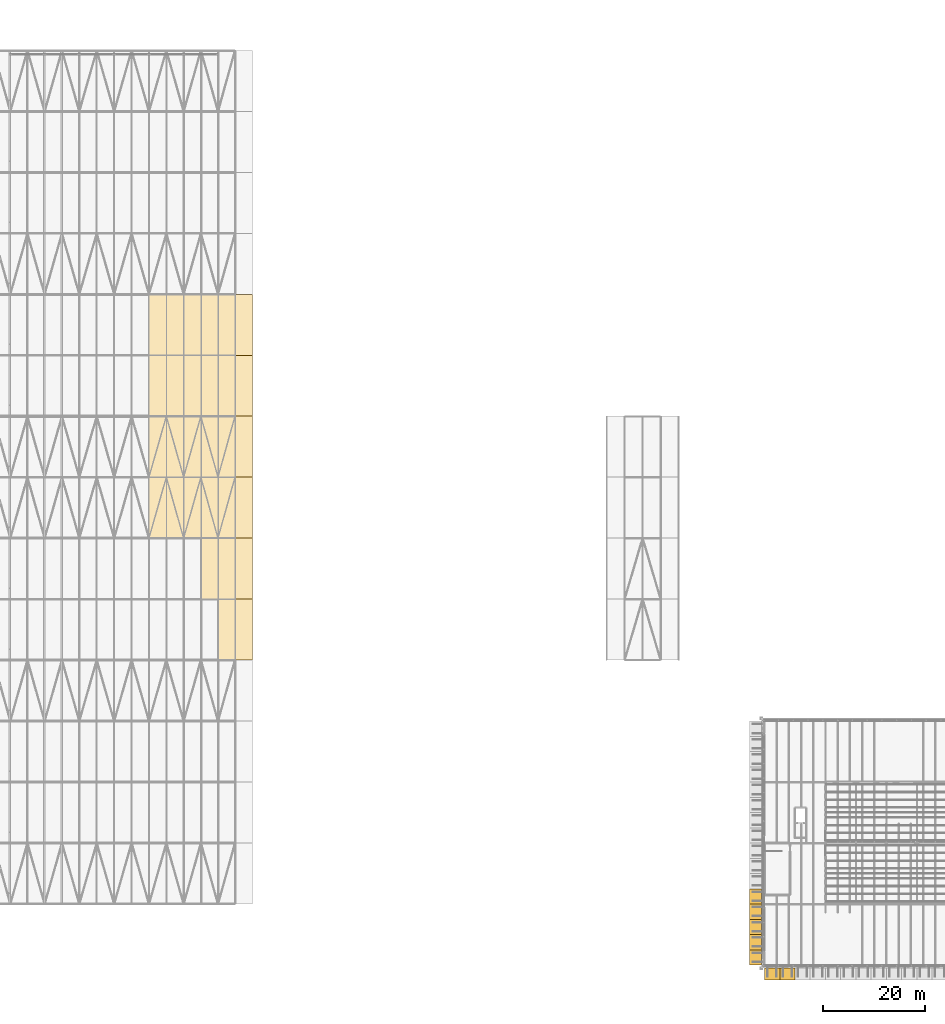
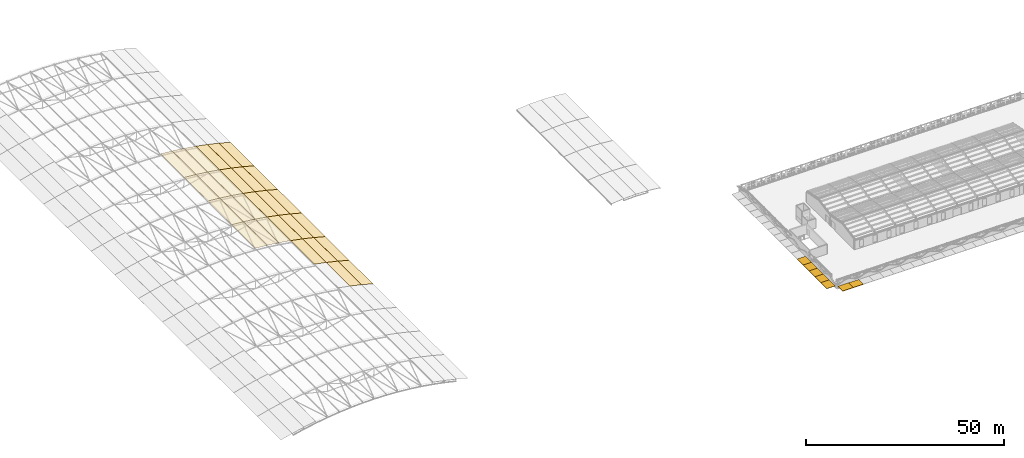
# One storey, part 88 of 91: 29 coverings, 7 shading devices.
"""IFC4 building model written with IfcOpenShell, lengths in metres."""

from ifc_helpers import new_model, si_unit, direction, frame, origin, origin_2d, place, context, subcontext, project, spatial, polyline, rectangle, outline, extrude, material, layer, layer_set, type_object, element, save


model = new_model("IFC4")

# Units and contexts
model_context = context("Model", 3, precision=1e-05, world=origin(), true_north=direction((0.0, 1.0)))
body_context = subcontext(model_context, "Body", "Model", "MODEL_VIEW")
ifc_project = project(units=[si_unit("LENGTHUNIT", "METRE"), si_unit("AREAUNIT", "SQUARE_METRE"), si_unit("VOLUMEUNIT", "CUBIC_METRE"), si_unit("PLANEANGLEUNIT", "RADIAN"), si_unit("MASSUNIT", "GRAM", prefix="KILO")], contexts=[model_context])

# Site, building, storey
site_placement = place(None, origin())
site = spatial("IfcSite", under=ifc_project, at=site_placement, CompositionType="ELEMENT")
building_placement = place(site_placement, origin())
building = spatial("IfcBuilding", under=site, at=building_placement, Name="Ravi Spectrum Wholesale Market", CompositionType="ELEMENT")
storey_placement = place(building_placement, frame((0.0, 0.0, 16.199951171875)))
storey = spatial("IfcBuildingStorey", under=building, at=storey_placement, Name="ROOF PLANT LEVEL", CompositionType="ELEMENT", Elevation=16.199951171875)

# Shading devices
ifc_material_1 = material(Name="Powder-coated aluminium louvres", Category="aluminium")
ifc_layer_1 = layer(ifc_material_1, 0.1201171875)
ifc_layer_set_1 = layer_set([ifc_layer_1], Name="Powder-coated aluminium louvres")
shading_device_type = type_object("IfcShadingDeviceType", Name="Louvred sunshade canopy 3000 x 2400 x 120", PredefinedType="USERDEFINED", material=ifc_layer_set_1)
for number, where, z_axis, x_axis, name in (
    (1, (199.5, 16.25, 0.3798828125), (0.0, 0.0, 1.0), (1.0, 0.0, 0.0), "Louvred sunshade canopy"),
    (2, (202.5, 16.25, 0.3798828125), (0.0, 0.0, 1.0), (1.0, 0.0, 0.0), "Louvred sunshade canopy"),
):
    element("IfcShadingDevice", number, at=place(storey_placement, frame(where, z_axis=z_axis, x_axis=x_axis)), inside=storey, type_object=shading_device_type, Name=name, ObjectType="SUNSHADE", PredefinedType="USERDEFINED", context=body_context, shape_type="SweptSolid", body=[
        extrude(rectangle(XDim=3.0, YDim=2.39990234375, at=origin_2d()), origin(), (0.0, 0.0, 1.0), 0.1201171875),
    ])
for number, where, z_axis, x_axis, name in (
    (3, (196.25, 19.5, 0.3798828125), (0.0, 0.0, 1.0), (1.0, 0.0, 0.0), "Louvred sunshade canopy"),
    (4, (196.25, 22.5, 0.3798828125), (0.0, 0.0, 1.0), (1.0, 0.0, 0.0), "Louvred sunshade canopy"),
    (5, (196.25, 25.5, 0.3798828125), (0.0, 0.0, 1.0), (1.0, 0.0, 0.0), "Louvred sunshade canopy"),
    (6, (196.25, 28.5, 0.3798828125), (0.0, 0.0, 1.0), (1.0, 0.0, 0.0), "Louvred sunshade canopy"),
    (7, (196.25, 31.5, 0.3798828125), (0.0, 0.0, 1.0), (1.0, 0.0, 0.0), "Louvred sunshade canopy"),
):
    element("IfcShadingDevice", number, at=place(storey_placement, frame(where, z_axis=z_axis, x_axis=x_axis)), inside=storey, type_object=shading_device_type, Name=name, ObjectType="SUNSHADE", PredefinedType="USERDEFINED", context=body_context, shape_type="SweptSolid", body=[
        extrude(rectangle(XDim=2.39990234375, YDim=3.0, at=origin_2d()), origin(), (0.0, 0.0, 1.0), 0.1201171875),
    ])

# Coverings
ifc_material_2 = material(Name="Roofing membrane")
ifc_layer_2 = layer(ifc_material_2, 0.008056640625)
ifc_layer_set_2 = layer_set([ifc_layer_2], Name="Roofing membrane")
covering_type = type_object("IfcCoveringType", Name="Roofing membrane 8", PredefinedType="ROOFING", material=ifc_layer_set_2)
covering_1_placement = place(storey_placement, frame((90.56201171875, 78.0, 1.46533203125), z_axis=(0.222349705354, 0.0, 0.974966978174), x_axis=(0.974966978174, 0.0, -0.222349705354)))
element("IfcCovering", 8, at=covering_1_placement, inside=storey, type_object=covering_type, Name="H1-CV-ROOF-079", PredefinedType="ROOFING", context=body_context, shape_type="SweptSolid", body=[
    extrude(outline(polyline([(0.0, 0.0), (3.4466311554413664, 0.0), (3.4466311554413664, 12.0), (0.0, 12.0), (0.0, 0.0)])), origin(), (0.0, 0.0, -1.0), 0.008056640625),
])
covering_2_placement = place(storey_placement, frame((93.926513671875, 78.0, 0.69775390625), z_axis=(0.255845834828, 0.0, 0.966717595165), x_axis=(0.966717595165, 0.0, -0.255845834828)))
element("IfcCovering", 9, at=covering_2_placement, inside=storey, type_object=covering_type, Name="H1-CV-ROOF-080", PredefinedType="ROOFING", context=body_context, shape_type="SweptSolid", body=[
    extrude(outline(polyline([(0.0, 0.0), (3.4467472886248953, 0.0), (3.4467472886248953, 12.0), (0.0, 12.0), (0.0, 0.0)])), origin(), (0.0, 0.0, -1.0), 0.008056640625),
])
covering_3_placement = place(storey_placement, frame((87.1728515625, 90.0, 2.1162109375), z_axis=(0.188563640263, 0.0, 0.98206097243), x_axis=(0.98206097243, 0.0, -0.188563640263)))
element("IfcCovering", 10, at=covering_3_placement, inside=storey, type_object=covering_type, Name="H1-CV-ROOF-094", PredefinedType="ROOFING", context=body_context, shape_type="SweptSolid", body=[
    extrude(outline(polyline([(0.0, 0.0), (3.446594172889141, 0.0), (3.446594172889141, 12.0), (0.0, 12.0), (0.0, 0.0)])), origin(), (0.0, 0.0, -1.0), 0.008056640625),
])
covering_4_placement = place(storey_placement, frame((90.56201171875, 90.0, 1.46533203125), z_axis=(0.222349705354, 0.0, 0.974966978174), x_axis=(0.974966978174, 0.0, -0.222349705354)))
element("IfcCovering", 11, at=covering_4_placement, inside=storey, type_object=covering_type, Name="H1-CV-ROOF-095", PredefinedType="ROOFING", context=body_context, shape_type="SweptSolid", body=[
    extrude(outline(polyline([(0.0, 0.0), (3.4466311554413664, 0.0), (3.4466311554413664, 12.0), (0.0, 12.0), (0.0, 0.0)])), origin(), (0.0, 0.0, -1.0), 0.008056640625),
])
covering_5_placement = place(storey_placement, frame((93.926513671875, 90.0, 0.69775390625), z_axis=(0.255845834828, 0.0, 0.966717595165), x_axis=(0.966717595165, 0.0, -0.255845834828)))
element("IfcCovering", 12, at=covering_5_placement, inside=storey, type_object=covering_type, Name="H1-CV-ROOF-096", PredefinedType="ROOFING", context=body_context, shape_type="SweptSolid", body=[
    extrude(outline(polyline([(0.0, 0.0), (3.4467472886248953, 0.0), (3.4467472886248953, 12.0), (0.0, 12.0), (0.0, 0.0)])), origin(), (0.0, 0.0, -1.0), 0.008056640625),
])
covering_6_placement = place(storey_placement, frame((76.899169921875, 102.0, 3.363037109375), z_axis=(0.086134430501, 0.0, 0.996283523844), x_axis=(0.996283523844, 0.0, -0.086134430501)))
element("IfcCovering", 13, at=covering_6_placement, inside=storey, type_object=covering_type, Name="H1-CV-ROOF-107", PredefinedType="ROOFING", context=body_context, shape_type="SweptSolid", body=[
    extrude(outline(polyline([(0.0, 0.0), (3.4466472730346154, 0.0), (3.4466472730346154, 12.000000000000004), (0.0, 12.000000000000004), (0.0, 0.0)])), origin(), (0.0, 0.0, -1.0), 0.008056640625),
])
covering_7_placement = place(storey_placement, frame((80.33740234375, 102.0, 3.065673828125), z_axis=(0.120415981986, 0.0, 0.992723522076), x_axis=(0.992723522076, 0.0, -0.120415981986)))
element("IfcCovering", 14, at=covering_7_placement, inside=storey, type_object=covering_type, Name="H1-CV-ROOF-108", PredefinedType="ROOFING", context=body_context, shape_type="SweptSolid", body=[
    extrude(outline(polyline([(0.0, 0.0), (3.446710774235079, 0.0), (3.446710774235079, 12.0), (0.0, 12.0), (0.0, 0.0)])), origin(), (0.0, 0.0, -1.0), 0.008056640625),
])
covering_8_placement = place(storey_placement, frame((83.763427734375, 102.0, 2.64990234375), z_axis=(0.154638345742, 0.0, 0.987971144329), x_axis=(0.987971144329, 0.0, -0.154638345742)))
element("IfcCovering", 15, at=covering_8_placement, inside=storey, type_object=covering_type, Name="H1-CV-ROOF-109", PredefinedType="ROOFING", context=body_context, shape_type="SweptSolid", body=[
    extrude(outline(polyline([(0.0, 0.0), (3.446486586598458, 0.0), (3.446486586598458, 12.000000000000004), (0.0, 12.000000000000004), (0.0, 0.0)])), origin(), (0.0, 0.0, -1.0), 0.008056640625),
])
covering_9_placement = place(storey_placement, frame((87.1728515625, 102.0, 2.1162109375), z_axis=(0.188563640263, 0.0, 0.98206097243), x_axis=(0.98206097243, 0.0, -0.188563640263)))
element("IfcCovering", 16, at=covering_9_placement, inside=storey, type_object=covering_type, Name="H1-CV-ROOF-110", PredefinedType="ROOFING", context=body_context, shape_type="SweptSolid", body=[
    extrude(outline(polyline([(0.0, 0.0), (3.446594172889141, 0.0), (3.446594172889141, 12.0), (0.0, 12.0), (0.0, 0.0)])), origin(), (0.0, 0.0, -1.0), 0.008056640625),
])
covering_10_placement = place(storey_placement, frame((90.56201171875, 102.0, 1.46533203125), z_axis=(0.222349705354, 0.0, 0.974966978174), x_axis=(0.974966978174, 0.0, -0.222349705354)))
element("IfcCovering", 17, at=covering_10_placement, inside=storey, type_object=covering_type, Name="H1-CV-ROOF-111", PredefinedType="ROOFING", context=body_context, shape_type="SweptSolid", body=[
    extrude(outline(polyline([(0.0, 0.0), (3.4466311554413664, 0.0), (3.4466311554413664, 12.0), (0.0, 12.0), (0.0, 0.0)])), origin(), (0.0, 0.0, -1.0), 0.008056640625),
])
covering_11_placement = place(storey_placement, frame((93.926513671875, 102.0, 0.69775390625), z_axis=(0.255845834828, 0.0, 0.966717595165), x_axis=(0.966717595165, 0.0, -0.255845834828)))
element("IfcCovering", 18, at=covering_11_placement, inside=storey, type_object=covering_type, Name="H1-CV-ROOF-112", PredefinedType="ROOFING", context=body_context, shape_type="SweptSolid", body=[
    extrude(outline(polyline([(0.0, 0.0), (3.4467472886248953, 0.0), (3.4467472886248953, 12.0), (0.0, 12.0), (0.0, 0.0)])), origin(), (0.0, 0.0, -1.0), 0.008056640625),
])
covering_12_placement = place(storey_placement, frame((76.899169921875, 114.0, 3.363037109375), z_axis=(0.086134430501, 0.0, 0.996283523844), x_axis=(0.996283523844, 0.0, -0.086134430501)))
element("IfcCovering", 19, at=covering_12_placement, inside=storey, type_object=covering_type, Name="H1-CV-ROOF-123", PredefinedType="ROOFING", context=body_context, shape_type="SweptSolid", body=[
    extrude(outline(polyline([(0.0, 0.0), (3.4466472730346154, 0.0), (3.4466472730346154, 12.000000000000004), (0.0, 12.000000000000004), (0.0, 0.0)])), origin(), (0.0, 0.0, -1.0), 0.008056640625),
])
covering_13_placement = place(storey_placement, frame((80.33740234375, 114.0, 3.065673828125), z_axis=(0.120415981986, 0.0, 0.992723522076), x_axis=(0.992723522076, 0.0, -0.120415981986)))
element("IfcCovering", 20, at=covering_13_placement, inside=storey, type_object=covering_type, Name="H1-CV-ROOF-124", PredefinedType="ROOFING", context=body_context, shape_type="SweptSolid", body=[
    extrude(outline(polyline([(0.0, 0.0), (3.446710774235079, 0.0), (3.446710774235079, 12.0), (0.0, 12.0), (0.0, 0.0)])), origin(), (0.0, 0.0, -1.0), 0.008056640625),
])
covering_14_placement = place(storey_placement, frame((83.763427734375, 114.0, 2.64990234375), z_axis=(0.154638345742, 0.0, 0.987971144329), x_axis=(0.987971144329, 0.0, -0.154638345742)))
element("IfcCovering", 21, at=covering_14_placement, inside=storey, type_object=covering_type, Name="H1-CV-ROOF-125", PredefinedType="ROOFING", context=body_context, shape_type="SweptSolid", body=[
    extrude(outline(polyline([(0.0, 0.0), (3.446486586598458, 0.0), (3.446486586598458, 12.000000000000004), (0.0, 12.000000000000004), (0.0, 0.0)])), origin(), (0.0, 0.0, -1.0), 0.008056640625),
])
covering_15_placement = place(storey_placement, frame((87.1728515625, 114.0, 2.1162109375), z_axis=(0.188563640263, 0.0, 0.98206097243), x_axis=(0.98206097243, 0.0, -0.188563640263)))
element("IfcCovering", 22, at=covering_15_placement, inside=storey, type_object=covering_type, Name="H1-CV-ROOF-126", PredefinedType="ROOFING", context=body_context, shape_type="SweptSolid", body=[
    extrude(outline(polyline([(0.0, 0.0), (3.446594172889141, 0.0), (3.446594172889141, 12.0), (0.0, 12.0), (0.0, 0.0)])), origin(), (0.0, 0.0, -1.0), 0.008056640625),
])
covering_16_placement = place(storey_placement, frame((90.56201171875, 114.0, 1.46533203125), z_axis=(0.222349705354, 0.0, 0.974966978174), x_axis=(0.974966978174, 0.0, -0.222349705354)))
element("IfcCovering", 23, at=covering_16_placement, inside=storey, type_object=covering_type, Name="H1-CV-ROOF-127", PredefinedType="ROOFING", context=body_context, shape_type="SweptSolid", body=[
    extrude(outline(polyline([(0.0, 0.0), (3.4466311554413664, 0.0), (3.4466311554413664, 12.0), (0.0, 12.0), (0.0, 0.0)])), origin(), (0.0, 0.0, -1.0), 0.008056640625),
])
covering_17_placement = place(storey_placement, frame((93.926513671875, 114.0, 0.69775390625), z_axis=(0.255845834828, 0.0, 0.966717595165), x_axis=(0.966717595165, 0.0, -0.255845834828)))
element("IfcCovering", 24, at=covering_17_placement, inside=storey, type_object=covering_type, Name="H1-CV-ROOF-128", PredefinedType="ROOFING", context=body_context, shape_type="SweptSolid", body=[
    extrude(outline(polyline([(0.0, 0.0), (3.4467472886248953, 0.0), (3.4467472886248953, 12.0), (0.0, 12.0), (0.0, 0.0)])), origin(), (0.0, 0.0, -1.0), 0.008056640625),
])
covering_18_placement = place(storey_placement, frame((76.899169921875, 126.0, 3.363037109375), z_axis=(0.086134430501, 0.0, 0.996283523844), x_axis=(0.996283523844, 0.0, -0.086134430501)))
element("IfcCovering", 25, at=covering_18_placement, inside=storey, type_object=covering_type, Name="H1-CV-ROOF-139", PredefinedType="ROOFING", context=body_context, shape_type="SweptSolid", body=[
    extrude(outline(polyline([(0.0, 0.0), (3.4466472730346154, 0.0), (3.4466472730346154, 12.000000000000004), (0.0, 12.000000000000004), (0.0, 0.0)])), origin(), (0.0, 0.0, -1.0), 0.008056640625),
])
covering_19_placement = place(storey_placement, frame((80.33740234375, 126.0, 3.065673828125), z_axis=(0.120415981986, 0.0, 0.992723522076), x_axis=(0.992723522076, 0.0, -0.120415981986)))
element("IfcCovering", 26, at=covering_19_placement, inside=storey, type_object=covering_type, Name="H1-CV-ROOF-140", PredefinedType="ROOFING", context=body_context, shape_type="SweptSolid", body=[
    extrude(outline(polyline([(0.0, 0.0), (3.446710774235079, 0.0), (3.446710774235079, 12.0), (0.0, 12.0), (0.0, 0.0)])), origin(), (0.0, 0.0, -1.0), 0.008056640625),
])
covering_20_placement = place(storey_placement, frame((83.763427734375, 126.0, 2.64990234375), z_axis=(0.154638345742, 0.0, 0.987971144329), x_axis=(0.987971144329, 0.0, -0.154638345742)))
element("IfcCovering", 27, at=covering_20_placement, inside=storey, type_object=covering_type, Name="H1-CV-ROOF-141", PredefinedType="ROOFING", context=body_context, shape_type="SweptSolid", body=[
    extrude(outline(polyline([(0.0, 0.0), (3.446486586598458, 0.0), (3.446486586598458, 12.000000000000004), (0.0, 12.000000000000004), (0.0, 0.0)])), origin(), (0.0, 0.0, -1.0), 0.008056640625),
])
covering_21_placement = place(storey_placement, frame((87.1728515625, 126.0, 2.1162109375), z_axis=(0.188563640263, 0.0, 0.98206097243), x_axis=(0.98206097243, 0.0, -0.188563640263)))
element("IfcCovering", 28, at=covering_21_placement, inside=storey, type_object=covering_type, Name="H1-CV-ROOF-142", PredefinedType="ROOFING", context=body_context, shape_type="SweptSolid", body=[
    extrude(outline(polyline([(0.0, 0.0), (3.446594172889141, 0.0), (3.446594172889141, 12.0), (0.0, 12.0), (0.0, 0.0)])), origin(), (0.0, 0.0, -1.0), 0.008056640625),
])
covering_22_placement = place(storey_placement, frame((90.56201171875, 126.0, 1.46533203125), z_axis=(0.222349705354, 0.0, 0.974966978174), x_axis=(0.974966978174, 0.0, -0.222349705354)))
element("IfcCovering", 29, at=covering_22_placement, inside=storey, type_object=covering_type, Name="H1-CV-ROOF-143", PredefinedType="ROOFING", context=body_context, shape_type="SweptSolid", body=[
    extrude(outline(polyline([(0.0, 0.0), (3.4466311554413664, 0.0), (3.4466311554413664, 12.0), (0.0, 12.0), (0.0, 0.0)])), origin(), (0.0, 0.0, -1.0), 0.008056640625),
])
covering_23_placement = place(storey_placement, frame((93.926513671875, 126.0, 0.69775390625), z_axis=(0.255845834828, 0.0, 0.966717595165), x_axis=(0.966717595165, 0.0, -0.255845834828)))
element("IfcCovering", 30, at=covering_23_placement, inside=storey, type_object=covering_type, Name="H1-CV-ROOF-144", PredefinedType="ROOFING", context=body_context, shape_type="SweptSolid", body=[
    extrude(outline(polyline([(0.0, 0.0), (3.4467472886248953, 0.0), (3.4467472886248953, 12.0), (0.0, 12.0), (0.0, 0.0)])), origin(), (0.0, 0.0, -1.0), 0.008056640625),
])
covering_24_placement = place(storey_placement, frame((76.899169921875, 138.0, 3.363037109375), z_axis=(0.086134430501, 0.0, 0.996283523844), x_axis=(0.996283523844, 0.0, -0.086134430501)))
element("IfcCovering", 31, at=covering_24_placement, inside=storey, type_object=covering_type, Name="H1-CV-ROOF-155", PredefinedType="ROOFING", context=body_context, shape_type="SweptSolid", body=[
    extrude(outline(polyline([(0.0, 0.0), (3.4466472730346154, 0.0), (3.4466472730346154, 12.000000000000004), (0.0, 12.000000000000004), (0.0, 0.0)])), origin(), (0.0, 0.0, -1.0), 0.008056640625),
])
covering_25_placement = place(storey_placement, frame((80.33740234375, 138.0, 3.065673828125), z_axis=(0.120415981986, 0.0, 0.992723522076), x_axis=(0.992723522076, 0.0, -0.120415981986)))
element("IfcCovering", 32, at=covering_25_placement, inside=storey, type_object=covering_type, Name="H1-CV-ROOF-156", PredefinedType="ROOFING", context=body_context, shape_type="SweptSolid", body=[
    extrude(outline(polyline([(0.0, 0.0), (3.446710774235079, 0.0), (3.446710774235079, 12.0), (0.0, 12.0), (0.0, 0.0)])), origin(), (0.0, 0.0, -1.0), 0.008056640625),
])
covering_26_placement = place(storey_placement, frame((83.763427734375, 138.0, 2.64990234375), z_axis=(0.154638345742, 0.0, 0.987971144329), x_axis=(0.987971144329, 0.0, -0.154638345742)))
element("IfcCovering", 33, at=covering_26_placement, inside=storey, type_object=covering_type, Name="H1-CV-ROOF-157", PredefinedType="ROOFING", context=body_context, shape_type="SweptSolid", body=[
    extrude(outline(polyline([(0.0, 0.0), (3.446486586598458, 0.0), (3.446486586598458, 12.000000000000004), (0.0, 12.000000000000004), (0.0, 0.0)])), origin(), (0.0, 0.0, -1.0), 0.008056640625),
])
covering_27_placement = place(storey_placement, frame((87.1728515625, 138.0, 2.1162109375), z_axis=(0.188563640263, 0.0, 0.98206097243), x_axis=(0.98206097243, 0.0, -0.188563640263)))
element("IfcCovering", 34, at=covering_27_placement, inside=storey, type_object=covering_type, Name="H1-CV-ROOF-158", PredefinedType="ROOFING", context=body_context, shape_type="SweptSolid", body=[
    extrude(outline(polyline([(0.0, 0.0), (3.446594172889141, 0.0), (3.446594172889141, 12.0), (0.0, 12.0), (0.0, 0.0)])), origin(), (0.0, 0.0, -1.0), 0.008056640625),
])
covering_28_placement = place(storey_placement, frame((90.56201171875, 138.0, 1.46533203125), z_axis=(0.222349705354, 0.0, 0.974966978174), x_axis=(0.974966978174, 0.0, -0.222349705354)))
element("IfcCovering", 35, at=covering_28_placement, inside=storey, type_object=covering_type, Name="H1-CV-ROOF-159", PredefinedType="ROOFING", context=body_context, shape_type="SweptSolid", body=[
    extrude(outline(polyline([(0.0, 0.0), (3.4466311554413664, 0.0), (3.4466311554413664, 12.0), (0.0, 12.0), (0.0, 0.0)])), origin(), (0.0, 0.0, -1.0), 0.008056640625),
])
covering_29_placement = place(storey_placement, frame((93.926513671875, 138.0, 0.69775390625), z_axis=(0.255845834828, 0.0, 0.966717595165), x_axis=(0.966717595165, 0.0, -0.255845834828)))
element("IfcCovering", 36, at=covering_29_placement, inside=storey, type_object=covering_type, Name="H1-CV-ROOF-160", PredefinedType="ROOFING", context=body_context, shape_type="SweptSolid", body=[
    extrude(outline(polyline([(0.0, 0.0), (3.4467472886248953, 0.0), (3.4467472886248953, 12.0), (0.0, 12.0), (0.0, 0.0)])), origin(), (0.0, 0.0, -1.0), 0.008056640625),
])

save(model, "model.ifc")
